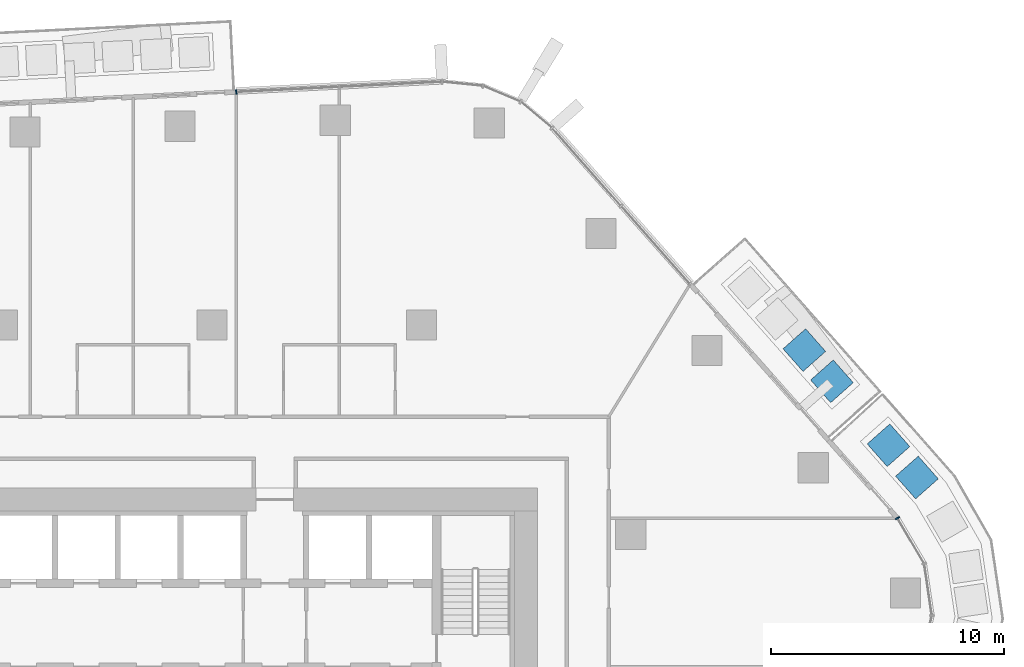
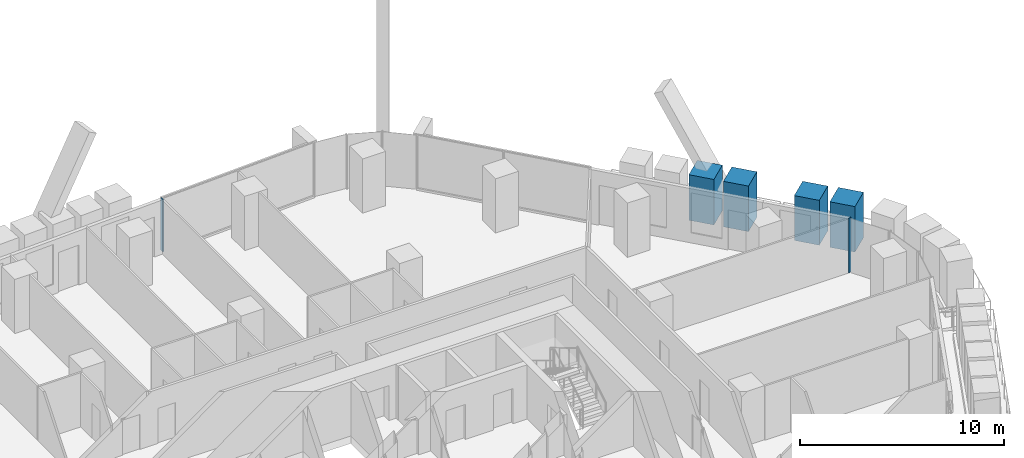
# One storey, part 7 of 26: 6 members, 2 elements without a shape of their own.
"""IFC4 building model written with IfcOpenShell, lengths in metres."""

from ifc_helpers import new_model, si_unit, direction, frame, origin, origin_2d, place, context, subcontext, project, spatial, rectangle, extrude, material, layer, layer_set, material_profile, profile_set, type_object, element, aggregate, save


model = new_model("IFC4")

# Units and contexts
model_context = context("Model", 3, precision=1e-05, world=origin(), true_north=direction((0.0, 1.0)))
body_context = subcontext(model_context, "Body", "Model", "MODEL_VIEW")
ifc_project = project(units=[si_unit("LENGTHUNIT", "METRE"), si_unit("AREAUNIT", "SQUARE_METRE"), si_unit("VOLUMEUNIT", "CUBIC_METRE"), si_unit("PLANEANGLEUNIT", "RADIAN"), si_unit("MASSUNIT", "GRAM", prefix="KILO")], contexts=[model_context])

# Site, building, storey
site_placement = place(None, origin())
site = spatial("IfcSite", under=ifc_project, at=site_placement, CompositionType="ELEMENT")
building_placement = place(site_placement, origin())
building = spatial("IfcBuilding", under=site, at=building_placement, Name="Dongbaek Canopy Tower", CompositionType="ELEMENT")
storey_placement = place(building_placement, frame((0.0, 0.0, 95.199951171875)))
storey = spatial("IfcBuildingStorey", under=building, at=storey_placement, Name="L19", CompositionType="ELEMENT", Elevation=95.199951171875)

# Curtain wall, member
ifc_material_1 = material(Name="Aluminium 6063-T6 pale anodised", Category="aluminium")
ifc_layer = layer(ifc_material_1, 0.199951171875)
ifc_layer_set = layer_set([ifc_layer], Name="CW-1 unitised tower curtain wall")
curtain_wall_type = type_object("IfcCurtainWallType", Name="CW-1 unitised tower curtain wall", PredefinedType="NOTDEFINED", material=ifc_layer_set)
curtain_wall_1_placement = place(storey_placement, origin())
curtain_wall_1 = element("IfcCurtainWall", 1, at=curtain_wall_1_placement, inside=storey, type_object=curtain_wall_type, Name="CW-1 curtain wall K0.1", PredefinedType="NOTDEFINED")
ifc_material_2 = material(Name="Aluminium 6063-T6 pale anodised", Category="aluminium")
ifc_material_profile_1 = material_profile(ifc_material_2, rectangle(XDim=0.199951171875, YDim=0.06005859375, at=origin_2d()), Name="CW-1 mullion 60 x 200")
ifc_profile_set_1 = profile_set([ifc_material_profile_1], Name="Aluminium 6063-T6 pale anodised")
member_type_1 = type_object("IfcMemberType", Name="CW-1 mullion 60 x 200", PredefinedType="MULLION", material=ifc_profile_set_1)
member_1_placement = place(storey_placement, frame((29.459716796875, 9.69775390625, 0.0), z_axis=(0.0, 0.0, 1.0), x_axis=(0.861723351631, 0.507378424112, 0.0)))
member_1 = element("IfcMember", 2, at=member_1_placement, type_object=member_type_1, Name="CW-1 mullion K0.1.4", PredefinedType="MULLION", context=body_context, shape_type="SweptSolid", body=[
    extrude(rectangle(XDim=0.199951171875, YDim=0.06005859375, at=origin_2d()), origin(), (0.0, 0.0, 1.0), 3.25),
])
aggregate(curtain_wall_1, [member_1])

curtain_wall_2_placement = place(storey_placement, origin())
curtain_wall_2 = element("IfcCurtainWall", 3, at=curtain_wall_2_placement, inside=storey, type_object=curtain_wall_type, Name="CW-1 curtain wall F1.1", PredefinedType="NOTDEFINED")
member_2_placement = place(storey_placement, frame((1.042236328125, 28.012451171875, 0.1201171875), z_axis=(0.0, 0.0, 1.0), x_axis=(-0.049538109177, 0.998772234165, 0.0)))
member_2 = element("IfcMember", 4, at=member_2_placement, type_object=member_type_1, Name="CW-1 mullion F1.1.3", PredefinedType="MULLION", context=body_context, shape_type="SweptSolid", body=[
    extrude(rectangle(XDim=0.199951171875, YDim=0.06005859375, at=origin_2d()), origin(), (0.0, 0.0, 1.0), 3.1298828125),
])
aggregate(curtain_wall_2, [member_2])

# Members
ifc_material_3 = material(Name="Concrete C40/50 planter mass with planting", Category="concrete")
ifc_material_profile_2 = material_profile(ifc_material_3, rectangle(XDim=1.300048828125, YDim=1.300048828125, at=origin_2d()), Name="Terrace PLANTER shrub mass 1300 x 1300")
ifc_profile_set_2 = profile_set([ifc_material_profile_2], Name="Concrete C40/50 planter mass with planting")
member_type_2 = type_object("IfcMemberType", Name="Terrace PLANTER shrub mass 1300 x 1300", PredefinedType="USERDEFINED", material=ifc_profile_set_2)
for number, where, z_axis, x_axis, name in (
    (5, (26.645263671875, 15.577392578125, 0.420166015625), (0.0, 0.0, 1.0), (0.748748761505, 0.662853899547, 0.0), "Planter shrubs L19 1.1"),
    (6, (25.4580078125, 16.91845703125, 0.420166015625), (0.0, 0.0, 1.0), (0.748748761505, 0.662853899547, 0.0), "Planter shrubs L19 1.2"),
    (7, (30.29736328125, 11.443115234375, 0.420166015625), (0.0, 0.0, 1.0), (0.750150302147, 0.661267362107, 0.0), "Planter shrubs L19 6.5"),
):
    element("IfcMember", number, at=place(storey_placement, frame(where, z_axis=z_axis, x_axis=x_axis)), inside=storey, type_object=member_type_2, Name=name, ObjectType="PLANTER", PredefinedType="USERDEFINED", context=body_context, shape_type="SweptSolid", body=[
        extrude(rectangle(XDim=1.300048828125, YDim=1.300048828125, at=origin_2d()), origin(), (0.0, 0.0, 1.0), 2.72998046875),
    ])
member_3_placement = place(storey_placement, frame((29.075927734375, 12.828857421875, 0.420166015625), z_axis=(0.0, 0.0, 1.0), x_axis=(0.750150302147, 0.661267362107, 0.0)))
element("IfcMember", 8, at=member_3_placement, inside=storey, type_object=member_type_2, Name="Planter shrubs L19 6.6", ObjectType="PLANTER", PredefinedType="USERDEFINED", context=body_context, shape_type="SweptSolid", body=[
    extrude(rectangle(XDim=1.300048828125, YDim=1.300048828125, at=origin_2d()), origin(), (0.0, 0.0, 1.0), 2.68994140625),
])

save(model, "model.ifc")
